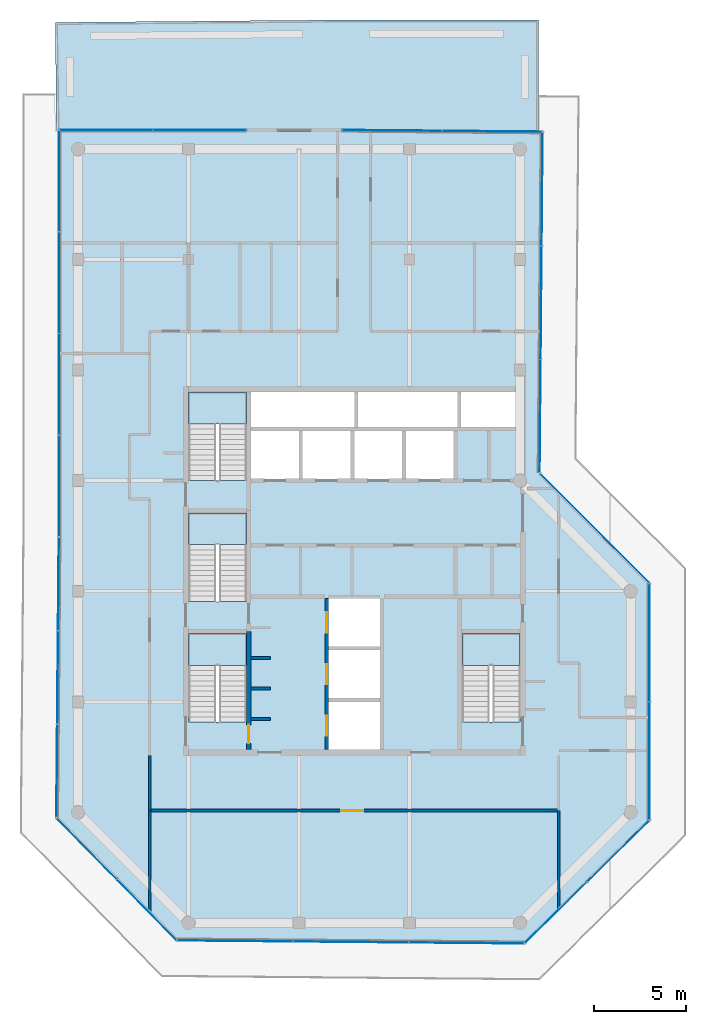
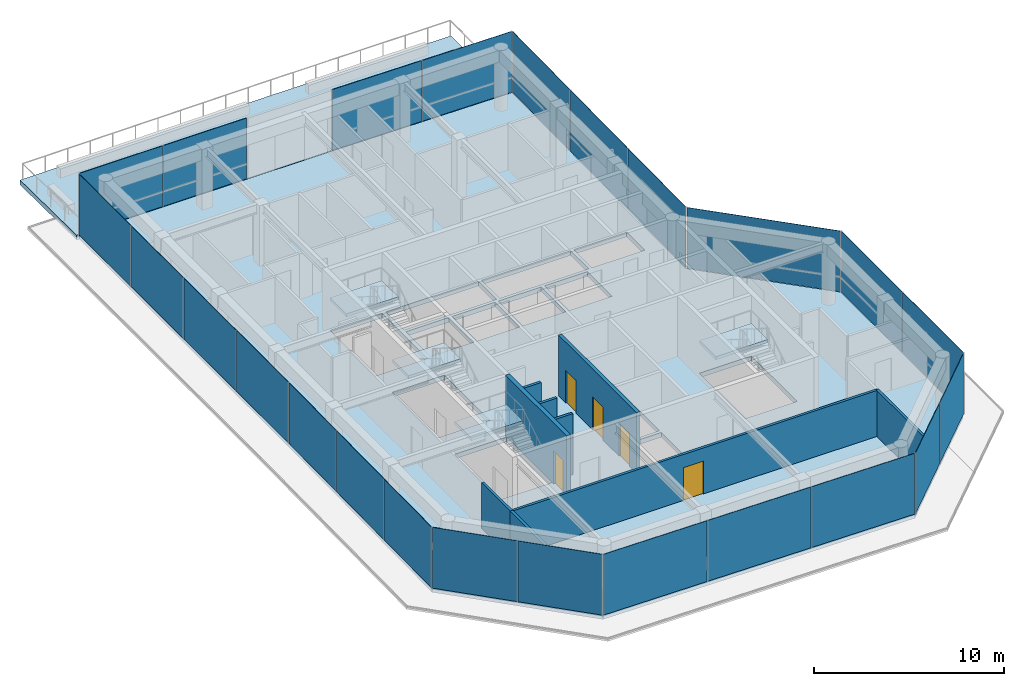
# One storey, part 12 of 17: 24 plates, 9 walls, 6 slabs, 5 doors, 5 openings, 14 elements without a shape of their own.
"""IFC4 building model written with IfcOpenShell, lengths in metres."""

from ifc_helpers import new_model, si_unit, direction, frame, frame_2d, origin, origin_2d, place, context, subcontext, project, spatial, polyline, rectangle, outline, extrude, material, layer, layer_set, type_object, element, fill, aggregate, save


model = new_model("IFC4")

# Units and contexts
model_context = context("Model", 3, precision=1e-05, world=origin(), true_north=direction((0.0, 1.0)))
body_context = subcontext(model_context, "Body", "Model", "MODEL_VIEW")
ifc_project = project(units=[si_unit("LENGTHUNIT", "METRE"), si_unit("AREAUNIT", "SQUARE_METRE"), si_unit("VOLUMEUNIT", "CUBIC_METRE"), si_unit("PLANEANGLEUNIT", "RADIAN"), si_unit("MASSUNIT", "GRAM", prefix="KILO")], contexts=[model_context])

# Site, building, storey
site_placement = place(None, origin())
site = spatial("IfcSite", under=ifc_project, at=site_placement, CompositionType="ELEMENT")
building_placement = place(site_placement, origin())
building = spatial("IfcBuilding", under=site, at=building_placement, Name="Welwitschia Terrace Campus", CompositionType="ELEMENT")
storey_placement = place(building_placement, frame((0.0, 0.0, 335.60009765625)))
storey = spatial("IfcBuildingStorey", under=building, at=storey_placement, Name="L75", CompositionType="ELEMENT", Elevation=335.60009765625)

# Curtain wall, plates
ifc_material_1 = material(Name="Bronze anodised aluminium", Category="aluminium")
ifc_layer_1 = layer(ifc_material_1, 0.10009765625)
ifc_layer_set_1 = layer_set([ifc_layer_1], Name="Bronze anodised aluminium")
curtain_wall_type = type_object("IfcCurtainWallType", Name="Curtain wall CW5 crown 6000", PredefinedType="NOTDEFINED", material=ifc_layer_set_1)
curtain_wall_1_placement = place(storey_placement, origin())
curtain_wall_1 = element("IfcCurtainWall", 1, at=curtain_wall_1_placement, inside=storey, type_object=curtain_wall_type, Name="CW L75.0.1", PredefinedType="NOTDEFINED")
ifc_material_2 = material(Name="Tinted bronze-grey glass", Category="glass")
ifc_layer_2 = layer(ifc_material_2, 0.02392578125)
ifc_layer_set_2 = layer_set([ifc_layer_2], Name="Tinted bronze-grey glass")
plate_type = type_object("IfcPlateType", Name="Glass panel 24 tinted", PredefinedType="CURTAIN_PANEL", material=ifc_layer_set_2)
plate_1_placement = place(storey_placement, frame((6.620849609375, 39.030029296875, 0.0), z_axis=(0.0, 0.0, 1.0), x_axis=(-1.0, 0.0, 0.0)))
plate_1 = element("IfcPlate", 2, at=plate_1_placement, type_object=plate_type, Name="Panel L75.0.1.0", PredefinedType="CURTAIN_PANEL", context=body_context, shape_type="SweptSolid", body=[
    extrude(rectangle(XDim=5.033935546875, YDim=0.02392578125, at=origin_2d()), origin(), (0.0, 0.0, 1.0), 3.89990234375),
])
plate_2_placement = place(storey_placement, frame((1.536865234375, 39.030029296875, 0.0), z_axis=(0.0, 0.0, 1.0), x_axis=(-1.0, 0.0, 0.0)))
plate_2 = element("IfcPlate", 3, at=plate_2_placement, type_object=plate_type, Name="Panel L75.0.1.1", PredefinedType="CURTAIN_PANEL", context=body_context, shape_type="SweptSolid", body=[
    extrude(rectangle(XDim=5.033935546875, YDim=0.02392578125, at=origin_2d()), origin(), (0.0, 0.0, 1.0), 3.89990234375),
])
aggregate(curtain_wall_1, [plate_1, plate_2])

curtain_wall_2_placement = place(storey_placement, origin())
curtain_wall_2 = element("IfcCurtainWall", 4, at=curtain_wall_2_placement, inside=storey, type_object=curtain_wall_type, Name="CW L75.1.0", PredefinedType="NOTDEFINED")
plate_3_placement = place(storey_placement, frame((-1.030029296875, 36.256591796875, 0.0), z_axis=(0.0, 0.0, 1.0), x_axis=(0.0, -1.0, 0.0)))
plate_3 = element("IfcPlate", 5, at=plate_3_placement, type_object=plate_type, Name="Panel L75.1.0.0", PredefinedType="CURTAIN_PANEL", context=body_context, shape_type="SweptSolid", body=[
    extrude(rectangle(XDim=5.44677734375, YDim=0.02392578125, at=origin_2d()), origin(), (0.0, 0.0, 1.0), 3.89990234375),
])
plate_4_placement = place(storey_placement, frame((-1.030029296875, 30.747314453125, 0.0), z_axis=(0.0, 0.0, 1.0), x_axis=(0.0, -1.0, 0.0)))
plate_4 = element("IfcPlate", 6, at=plate_4_placement, type_object=plate_type, Name="Panel L75.1.0.1", PredefinedType="CURTAIN_PANEL", context=body_context, shape_type="SweptSolid", body=[
    extrude(rectangle(XDim=5.4716796875, YDim=0.02392578125, at=origin_2d()), origin(), (0.0, 0.0, 1.0), 3.89990234375),
])
plate_5_placement = place(storey_placement, frame((-1.030029296875, 25.225830078125, 0.0), z_axis=(0.0, 0.0, 1.0), x_axis=(0.0, -1.0, 0.0)))
plate_5 = element("IfcPlate", 7, at=plate_5_placement, type_object=plate_type, Name="Panel L75.1.0.2", PredefinedType="CURTAIN_PANEL", context=body_context, shape_type="SweptSolid", body=[
    extrude(rectangle(XDim=5.4716796875, YDim=0.02392578125, at=origin_2d()), origin(), (0.0, 0.0, 1.0), 3.89990234375),
])
plate_6_placement = place(storey_placement, frame((-1.030029296875, 19.716552734375, 0.0), z_axis=(0.0, 0.0, 1.0), x_axis=(0.0, -1.0, 0.0)))
plate_6 = element("IfcPlate", 8, at=plate_6_placement, type_object=plate_type, Name="Panel L75.1.0.3", PredefinedType="CURTAIN_PANEL", context=body_context, shape_type="SweptSolid", body=[
    extrude(rectangle(XDim=5.44677734375, YDim=0.02392578125, at=origin_2d()), origin(), (0.0, 0.0, 1.0), 3.89990234375),
])
aggregate(curtain_wall_2, [plate_3, plate_4, plate_5, plate_6])

curtain_wall_3_placement = place(storey_placement, origin())
curtain_wall_3 = element("IfcCurtainWall", 9, at=curtain_wall_3_placement, inside=storey, type_object=curtain_wall_type, Name="CW L75.2.0", PredefinedType="NOTDEFINED")
plate_7_placement = place(storey_placement, frame((-1.05224609375, 14.391357421875, 0.0), z_axis=(0.0, 0.0, 1.0), x_axis=(-0.008726535498, -0.999961923064, 0.0)))
plate_7 = element("IfcPlate", 10, at=plate_7_placement, type_object=plate_type, Name="Panel L75.2.0.0", PredefinedType="CURTAIN_PANEL", context=body_context, shape_type="SweptSolid", body=[
    extrude(rectangle(XDim=5.00390625, YDim=0.02392578125, at=origin_2d()), origin(), (0.0, 0.0, 1.0), 3.89990234375),
])
plate_8_placement = place(storey_placement, frame((-1.096435546875, 9.324951171875, 0.0), z_axis=(0.0, 0.0, 1.0), x_axis=(-0.008726535498, -0.999961923064, 0.0)))
plate_8 = element("IfcPlate", 11, at=plate_8_placement, type_object=plate_type, Name="Panel L75.2.0.1", PredefinedType="CURTAIN_PANEL", context=body_context, shape_type="SweptSolid", body=[
    extrude(rectangle(XDim=5.029052734375, YDim=0.02392578125, at=origin_2d()), origin(), (0.0, 0.0, 1.0), 3.89990234375),
])
plate_9_placement = place(storey_placement, frame((-1.140625, 4.2587890625, 0.0), z_axis=(0.0, 0.0, 1.0), x_axis=(-0.008726535498, -0.999961923064, 0.0)))
plate_9 = element("IfcPlate", 12, at=plate_9_placement, type_object=plate_type, Name="Panel L75.2.0.2", PredefinedType="CURTAIN_PANEL", context=body_context, shape_type="SweptSolid", body=[
    extrude(rectangle(XDim=5.00390625, YDim=0.02392578125, at=origin_2d()), origin(), (0.0, 0.0, 1.0), 3.89990234375),
])
aggregate(curtain_wall_3, [plate_7, plate_8, plate_9])

curtain_wall_4_placement = place(storey_placement, origin())
curtain_wall_4 = element("IfcCurtainWall", 13, at=curtain_wall_4_placement, inside=storey, type_object=curtain_wall_type, Name="CW L75.3.0", PredefinedType="NOTDEFINED")
plate_10_placement = place(storey_placement, frame((0.482177734375, 0.03271484375, 0.0), z_axis=(0.0, 0.0, 1.0), x_axis=(0.7009092643, -0.713250449154, 0.0)))
plate_10 = element("IfcPlate", 14, at=plate_10_placement, type_object=plate_type, Name="Panel L75.3.0.0", PredefinedType="CURTAIN_PANEL", context=body_context, shape_type="SweptSolid", body=[
    extrude(rectangle(XDim=4.59423828125, YDim=0.02392578125, at=origin_2d()), origin(), (0.0, 0.0, 1.0), 3.89990234375),
])
plate_11_placement = place(storey_placement, frame((3.7373046875, -3.27978515625, 0.0), z_axis=(0.0, 0.0, 1.0), x_axis=(0.7009092643, -0.713250449154, 0.0)))
plate_11 = element("IfcPlate", 15, at=plate_11_placement, type_object=plate_type, Name="Panel L75.3.0.1", PredefinedType="CURTAIN_PANEL", context=body_context, shape_type="SweptSolid", body=[
    extrude(rectangle(XDim=4.59423828125, YDim=0.02392578125, at=origin_2d()), origin(), (0.0, 0.0, 1.0), 3.89990234375),
])
aggregate(curtain_wall_4, [plate_10, plate_11])

curtain_wall_5_placement = place(storey_placement, origin())
curtain_wall_5 = element("IfcCurtainWall", 16, at=curtain_wall_5_placement, inside=storey, type_object=curtain_wall_type, Name="CW L75.4.0", PredefinedType="NOTDEFINED")
plate_12_placement = place(storey_placement, frame((8.537109375, -4.9814453125, 0.0), z_axis=(0.0, 0.0, 1.0), x_axis=(0.999961923064, -0.008726535498, 0.0)))
plate_12 = element("IfcPlate", 17, at=plate_12_placement, type_object=plate_type, Name="Panel L75.4.0.0", PredefinedType="CURTAIN_PANEL", context=body_context, shape_type="SweptSolid", body=[
    extrude(rectangle(XDim=6.20947265625, YDim=0.02392578125, at=origin_2d()), origin(), (0.0, 0.0, 1.0), 3.89990234375),
])
plate_13_placement = place(storey_placement, frame((14.808837890625, -5.0361328125, 0.0), z_axis=(0.0, 0.0, 1.0), x_axis=(0.999961923064, -0.008726535498, 0.0)))
plate_13 = element("IfcPlate", 18, at=plate_13_placement, type_object=plate_type, Name="Panel L75.4.0.1", PredefinedType="CURTAIN_PANEL", context=body_context, shape_type="SweptSolid", body=[
    extrude(rectangle(XDim=6.234375, YDim=0.02392578125, at=origin_2d()), origin(), (0.0, 0.0, 1.0), 3.89990234375),
])
plate_14_placement = place(storey_placement, frame((21.08056640625, -5.0908203125, 0.0), z_axis=(0.0, 0.0, 1.0), x_axis=(0.999961923064, -0.008726535498, 0.0)))
plate_14 = element("IfcPlate", 19, at=plate_14_placement, type_object=plate_type, Name="Panel L75.4.0.2", PredefinedType="CURTAIN_PANEL", context=body_context, shape_type="SweptSolid", body=[
    extrude(rectangle(XDim=6.20947265625, YDim=0.02392578125, at=origin_2d()), origin(), (0.0, 0.0, 1.0), 3.89990234375),
])
aggregate(curtain_wall_5, [plate_12, plate_13, plate_14])

curtain_wall_6_placement = place(storey_placement, origin())
curtain_wall_6 = element("IfcCurtainWall", 20, at=curtain_wall_6_placement, inside=storey, type_object=curtain_wall_type, Name="CW L75.5.0", PredefinedType="NOTDEFINED")
plate_15_placement = place(storey_placement, frame((25.942626953125, -3.436767578125, 0.0), z_axis=(0.0, 0.0, 1.0), x_axis=(0.712500226028, 0.701671880518, 0.0)))
plate_15 = element("IfcPlate", 21, at=plate_15_placement, type_object=plate_type, Name="Panel L75.5.0.0", PredefinedType="CURTAIN_PANEL", context=body_context, shape_type="SweptSolid", body=[
    extrude(rectangle(XDim=4.693359375, YDim=0.02392578125, at=origin_2d()), origin(), (0.0, 0.0, 1.0), 3.89990234375),
])
plate_16_placement = place(storey_placement, frame((29.322265625, -0.1083984375, 0.0), z_axis=(0.0, 0.0, 1.0), x_axis=(0.712500226028, 0.701671880518, 0.0)))
plate_16 = element("IfcPlate", 22, at=plate_16_placement, type_object=plate_type, Name="Panel L75.5.0.1", PredefinedType="CURTAIN_PANEL", context=body_context, shape_type="SweptSolid", body=[
    extrude(rectangle(XDim=4.693359375, YDim=0.02392578125, at=origin_2d()), origin(), (0.0, 0.0, 1.0), 3.89990234375),
])
aggregate(curtain_wall_6, [plate_15, plate_16])

curtain_wall_7_placement = place(storey_placement, origin())
curtain_wall_7 = element("IfcCurtainWall", 23, at=curtain_wall_7_placement, inside=storey, type_object=curtain_wall_type, Name="CW L75.6.0", PredefinedType="NOTDEFINED")
plate_17_placement = place(storey_placement, frame((31.030029296875, 4.799072265625, 0.0), z_axis=(0.0, 0.0, 1.0), x_axis=(0.0, 1.0, 0.0)))
plate_17 = element("IfcPlate", 24, at=plate_17_placement, type_object=plate_type, Name="Panel L75.6.0.0", PredefinedType="CURTAIN_PANEL", context=body_context, shape_type="SweptSolid", body=[
    extrude(rectangle(XDim=6.351806640625, YDim=0.02392578125, at=origin_2d()), origin(), (0.0, 0.0, 1.0), 3.89990234375),
])
plate_18_placement = place(storey_placement, frame((31.030029296875, 11.20068359375, 0.0), z_axis=(0.0, 0.0, 1.0), x_axis=(0.0, 1.0, 0.0)))
plate_18 = element("IfcPlate", 25, at=plate_18_placement, type_object=plate_type, Name="Panel L75.6.0.1", PredefinedType="CURTAIN_PANEL", context=body_context, shape_type="SweptSolid", body=[
    extrude(rectangle(XDim=6.351806640625, YDim=0.02392578125, at=origin_2d()), origin(), (0.0, 0.0, 1.0), 3.89990234375),
])
aggregate(curtain_wall_7, [plate_17, plate_18])

# Curtain wall, plate
curtain_wall_8_placement = place(storey_placement, origin())
curtain_wall_8 = element("IfcCurtainWall", 26, at=curtain_wall_8_placement, inside=storey, type_object=curtain_wall_type, Name="CW L75.7.0", PredefinedType="NOTDEFINED")
plate_19_placement = place(storey_placement, frame((28.045654296875, 17.4111328125, 0.0), z_axis=(0.0, 0.0, 1.0), x_axis=(-0.707106781187, 0.707106781187, 0.0)))
plate_19 = element("IfcPlate", 27, at=plate_19_placement, type_object=plate_type, Name="Panel L75.7.0.0", PredefinedType="CURTAIN_PANEL", context=body_context, shape_type="SweptSolid", body=[
    extrude(rectangle(XDim=8.34130859375, YDim=0.02392578125, at=origin_2d()), origin(), (0.0, 0.0, 1.0), 3.89990234375),
])
aggregate(curtain_wall_8, [plate_19])

# Curtain wall, plates
curtain_wall_9_placement = place(storey_placement, origin())
curtain_wall_9 = element("IfcCurtainWall", 28, at=curtain_wall_9_placement, inside=storey, type_object=curtain_wall_type, Name="CW L75.8.0", PredefinedType="NOTDEFINED")
plate_20_placement = place(storey_placement, frame((25.088134765625, 23.497802734375, 0.0), z_axis=(0.0, 0.0, 1.0), x_axis=(0.008726535498, 0.999961923064, 0.0)))
plate_20 = element("IfcPlate", 29, at=plate_20_placement, type_object=plate_type, Name="Panel L75.8.0.0", PredefinedType="CURTAIN_PANEL", context=body_context, shape_type="SweptSolid", body=[
    extrude(rectangle(XDim=6.10498046875, YDim=0.02392578125, at=origin_2d()), origin(), (0.0, 0.0, 1.0), 3.89990234375),
])
plate_21_placement = place(storey_placement, frame((25.14208984375, 29.6650390625, 0.0), z_axis=(0.0, 0.0, 1.0), x_axis=(0.008726535498, 0.999961923064, 0.0)))
plate_21 = element("IfcPlate", 30, at=plate_21_placement, type_object=plate_type, Name="Panel L75.8.0.1", PredefinedType="CURTAIN_PANEL", context=body_context, shape_type="SweptSolid", body=[
    extrude(rectangle(XDim=6.1298828125, YDim=0.02392578125, at=origin_2d()), origin(), (0.0, 0.0, 1.0), 3.89990234375),
])
plate_22_placement = place(storey_placement, frame((25.19580078125, 35.832275390625, 0.0), z_axis=(0.0, 0.0, 1.0), x_axis=(0.008726535498, 0.999961923064, 0.0)))
plate_22 = element("IfcPlate", 31, at=plate_22_placement, type_object=plate_type, Name="Panel L75.8.0.2", PredefinedType="CURTAIN_PANEL", context=body_context, shape_type="SweptSolid", body=[
    extrude(rectangle(XDim=6.10498046875, YDim=0.02392578125, at=origin_2d()), origin(), (0.0, 0.0, 1.0), 3.89990234375),
])
aggregate(curtain_wall_9, [plate_20, plate_21, plate_22])

curtain_wall_10_placement = place(storey_placement, origin())
curtain_wall_10 = element("IfcCurtainWall", 32, at=curtain_wall_10_placement, inside=storey, type_object=curtain_wall_type, Name="CW L75.9.0", PredefinedType="NOTDEFINED")
plate_23_placement = place(storey_placement, frame((22.478759765625, 38.95849609375, 0.0), z_axis=(0.0, 0.0, 1.0), x_axis=(-0.999961923064, 0.008726535498, 0.0)))
plate_23 = element("IfcPlate", 33, at=plate_23_placement, type_object=plate_type, Name="Panel L75.9.0.0", PredefinedType="CURTAIN_PANEL", context=body_context, shape_type="SweptSolid", body=[
    extrude(rectangle(XDim=5.38818359375, YDim=0.02392578125, at=origin_2d()), origin(), (0.0, 0.0, 1.0), 3.89990234375),
])
plate_24_placement = place(storey_placement, frame((17.040771484375, 39.006103515625, 0.0), z_axis=(0.0, 0.0, 1.0), x_axis=(-0.999961923064, 0.008726535498, 0.0)))
plate_24 = element("IfcPlate", 34, at=plate_24_placement, type_object=plate_type, Name="Panel L75.9.0.1", PredefinedType="CURTAIN_PANEL", context=body_context, shape_type="SweptSolid", body=[
    extrude(rectangle(XDim=5.38818359375, YDim=0.02392578125, at=origin_2d()), origin(), (0.0, 0.0, 1.0), 3.89990234375),
])
aggregate(curtain_wall_10, [plate_23, plate_24])

# Stair, slab
ifc_material_3 = material(Name="Concrete C40/50", Category="concrete")
stair_type = type_object("IfcStairType", Name="Stair 24R 175 W1500", PredefinedType="HALF_TURN_STAIR", material=ifc_material_3)
stair_1_placement = place(storey_placement, origin())
stair_1 = element("IfcStair", 35, at=stair_1_placement, inside=storey, type_object=stair_type, Name="L75 Exit stair S1", PredefinedType="HALF_TURN_STAIR")
ifc_material_4 = material(Name="Concrete C40/50", Category="concrete")
ifc_layer_3 = layer(ifc_material_4, 0.199951171875)
ifc_layer_set_3 = layer_set([ifc_layer_3], Name="Concrete C40/50")
slab_type_1 = type_object("IfcSlabType", Name="Stair landing RC", PredefinedType="LANDING", material=ifc_layer_set_3)
slab_1_placement = place(storey_placement, frame((0.0, 0.0, 1.89990234375)))
slab_1 = element("IfcSlab", 36, at=slab_1_placement, type_object=slab_type_1, Name="S1 landing 1", PredefinedType="LANDING", context=body_context, shape_type="SweptSolid", body=[
    extrude(outline(polyline([(9.14990234375, 9.97998046875), (9.14990234375, 11.699951171875), (6.0, 11.699951171875), (6.0, 9.97998046875), (9.14990234375, 9.97998046875)])), origin(), (0.0, 0.0, 1.0), 0.199951171875),
])
aggregate(stair_1, [slab_1])

stair_2_placement = place(storey_placement, origin())
stair_2 = element("IfcStair", 37, at=stair_2_placement, inside=storey, type_object=stair_type, Name="L75 Exit stair S3", PredefinedType="HALF_TURN_STAIR")
slab_2_placement = place(storey_placement, frame((0.0, 0.0, 1.89990234375)))
slab_2 = element("IfcSlab", 38, at=slab_2_placement, type_object=slab_type_1, Name="S3 landing 1", PredefinedType="LANDING", context=body_context, shape_type="SweptSolid", body=[
    extrude(outline(polyline([(9.14990234375, 16.530029296875), (9.14990234375, 18.25), (6.0, 18.25), (6.0, 16.530029296875), (9.14990234375, 16.530029296875)])), origin(), (0.0, 0.0, 1.0), 0.199951171875),
])
aggregate(stair_2, [slab_2])

stair_3_placement = place(storey_placement, origin())
stair_3 = element("IfcStair", 39, at=stair_3_placement, inside=storey, type_object=stair_type, Name="L75 Exit stair S4", PredefinedType="HALF_TURN_STAIR")
slab_3_placement = place(storey_placement, frame((0.0, 0.0, 1.89990234375)))
slab_3 = element("IfcSlab", 40, at=slab_3_placement, type_object=slab_type_1, Name="S4 landing 1", PredefinedType="LANDING", context=body_context, shape_type="SweptSolid", body=[
    extrude(outline(polyline([(9.14990234375, 23.080078125), (9.14990234375, 24.800048828125), (6.0, 24.800048828125), (6.0, 23.080078125), (9.14990234375, 23.080078125)])), origin(), (0.0, 0.0, 1.0), 0.199951171875),
])
aggregate(stair_3, [slab_3])

stair_4_placement = place(storey_placement, origin())
stair_4 = element("IfcStair", 41, at=stair_4_placement, inside=storey, type_object=stair_type, Name="L75 Exit stair S2", PredefinedType="HALF_TURN_STAIR")
slab_4_placement = place(storey_placement, frame((0.0, 0.0, 1.89990234375)))
slab_4 = element("IfcSlab", 42, at=slab_4_placement, type_object=slab_type_1, Name="S2 landing 1", PredefinedType="LANDING", context=body_context, shape_type="SweptSolid", body=[
    extrude(outline(polyline([(24.0, 9.97998046875), (24.0, 11.699951171875), (20.85009765625, 11.699951171875), (20.85009765625, 9.97998046875), (24.0, 9.97998046875)])), origin(), (0.0, 0.0, 1.0), 0.199951171875),
])
aggregate(stair_4, [slab_4])

# Slabs
ifc_material_5 = material(Name="Concrete C40/50", Category="concrete")
ifc_layer_4 = layer(ifc_material_5, 0.300048828125)
ifc_layer_set_4 = layer_set([ifc_layer_4], Name="Concrete C40/50")
slab_type_2 = type_object("IfcSlabType", Name="Suspended floor slab 300", PredefinedType="FLOOR", material=ifc_layer_set_4)
slab_5_placement = place(storey_placement, frame((0.0, 0.0, -0.300048828125)))
element("IfcSlab", 43, at=slab_5_placement, inside=storey, type_object=slab_type_2, Name="Floor slab L75", PredefinedType="FLOOR", context=body_context, shape_type="SweptSolid", body=[
    extrude(outline(polyline([(25.031005859375, 20.38330078125), (31.0, 14.414306640625), (31.0, 1.585693359375), (24.222900390625, -5.08837890625), (5.395263671875, -4.924072265625), (-1.1328125, 1.718994140625), (-1.0, 16.943115234375), (-1.0, 38.985107421875), (14.296630859375, 38.985107421875), (25.001953125, 38.8916015625), (25.001953125, 38.906494140625), (25.192626953125, 38.905029296875), (25.031005859375, 20.38330078125)]), holes=[polyline([(13.60009765625, 5.39990234375), (16.39990234375, 5.39990234375), (16.39990234375, 8.0), (13.60009765625, 8.0), (13.60009765625, 5.39990234375)]), polyline([(6.0, 11.699951171875), (6.0, 6.902099609375), (9.14990234375, 6.902099609375), (9.14990234375, 11.699951171875), (6.0, 11.699951171875)]), polyline([(6.0, 18.25), (6.0, 13.451904296875), (9.14990234375, 13.451904296875), (9.14990234375, 18.25), (6.0, 18.25)]), polyline([(9.39990234375, 22.699951171875), (9.39990234375, 20.10009765625), (12.0, 20.10009765625), (12.0, 22.699951171875), (9.39990234375, 22.699951171875)]), polyline([(12.199951171875, 22.699951171875), (12.199951171875, 20.10009765625), (14.800048828125, 20.10009765625), (14.800048828125, 22.699951171875), (12.199951171875, 22.699951171875)]), polyline([(6.0, 24.800048828125), (6.0, 20.001953125), (9.14990234375, 20.001953125), (9.14990234375, 24.800048828125), (6.0, 24.800048828125)]), polyline([(9.39990234375, 24.800048828125), (9.39990234375, 22.89990234375), (15.0, 22.89990234375), (15.0, 24.800048828125), (9.39990234375, 24.800048828125)]), polyline([(20.85009765625, 6.902099609375), (24.0, 6.902099609375), (24.0, 11.699951171875), (20.85009765625, 11.699951171875), (20.85009765625, 6.902099609375)]), polyline([(13.60009765625, 10.800048828125), (13.60009765625, 8.199951171875), (16.39990234375, 8.199951171875), (16.39990234375, 10.800048828125), (13.60009765625, 10.800048828125)]), polyline([(13.60009765625, 13.60009765625), (13.60009765625, 11.0), (16.39990234375, 11.0), (16.39990234375, 13.60009765625), (13.60009765625, 13.60009765625)]), polyline([(15.0, 22.699951171875), (15.0, 20.10009765625), (17.60009765625, 20.10009765625), (17.60009765625, 22.699951171875), (15.0, 22.699951171875)]), polyline([(17.800048828125, 22.699951171875), (17.800048828125, 20.10009765625), (20.39990234375, 20.10009765625), (20.39990234375, 22.699951171875), (17.800048828125, 22.699951171875)]), polyline([(15.199951171875, 24.800048828125), (15.199951171875, 22.89990234375), (20.60009765625, 22.89990234375), (20.60009765625, 24.800048828125), (15.199951171875, 24.800048828125)]), polyline([(20.800048828125, 24.800048828125), (20.800048828125, 22.89990234375), (24.0, 22.89990234375), (24.0, 24.800048828125), (20.800048828125, 24.800048828125)])]), origin(), (0.0, 0.0, 1.0), 0.300048828125),
])
ifc_material_6 = material(Name="Concrete C40/50", Category="concrete")
ifc_layer_5 = layer(ifc_material_6, 0.300048828125)
ifc_layer_set_5 = layer_set([ifc_layer_5], Name="Concrete C40/50")
slab_type_3 = type_object("IfcSlabType", Name="Terrace slab 300", PredefinedType="FLOOR", material=ifc_layer_set_5)
slab_6_placement = place(storey_placement, frame((0.0, 0.0, -0.300048828125)))
element("IfcSlab", 44, at=slab_6_placement, inside=storey, type_object=slab_type_3, Name="Terrace slab", PredefinedType="FLOOR", context=body_context, shape_type="SweptSolid", body=[
    extrude(outline(polyline([(-1.168701171875, 39.0), (-1.2197265625, 44.8671875), (14.012939453125, 45.0), (25.0, 45.0), (25.0, 38.921630859375), (14.296875, 39.014892578125), (14.296630859375, 39.014892578125), (-1.0, 39.014892578125), (-1.00146484375, 39.014892578125), (-1.0029296875, 39.0146484375), (-1.00439453125, 39.014404296875), (-1.005859375, 39.013916015625), (-1.007080078125, 39.01318359375), (-1.00830078125, 39.012451171875), (-1.009521484375, 39.011474609375), (-1.010498046875, 39.010498046875), (-1.011474609375, 39.009521484375), (-1.012451171875, 39.00830078125), (-1.01318359375, 39.007080078125), (-1.013916015625, 39.005859375), (-1.014404296875, 39.00439453125), (-1.0146484375, 39.0029296875), (-1.014892578125, 39.00146484375), (-1.014892578125, 39.0), (-1.168701171875, 39.0)])), origin(), (0.0, 0.0, 1.0), 0.300048828125),
])

# Walls
ifc_material_7 = material(Name="Concrete C50/60", Category="concrete")
ifc_layer_6 = layer(ifc_material_7, 0.14990234375)
ifc_layer_set_6 = layer_set([ifc_layer_6], Name="Concrete C50/60")
wall_type_1 = type_object("IfcWallType", Name="Core wall 150 Concrete C50/60", PredefinedType="SHEAR", material=ifc_layer_set_6)
for number, where, z_axis, x_axis, name in (
    (45, (9.39990234375, 7.074951171875, 0.0), (0.0, 0.0, 1.0), (1.0, 0.0, 0.0), "Core wall"),
    (46, (9.39990234375, 8.72509765625, 0.0), (0.0, 0.0, 1.0), (1.0, 0.0, 0.0), "Core wall"),
    (47, (9.39990234375, 10.375, 0.0), (0.0, 0.0, 1.0), (1.0, 0.0, 0.0), "Core wall"),
):
    element("IfcWall", number, at=place(storey_placement, frame(where, z_axis=z_axis, x_axis=x_axis)), inside=storey, type_object=wall_type_1, Name=name, PredefinedType="SHEAR", context=body_context, shape_type="SweptSolid", body=[
        extrude(rectangle(XDim=1.050048828125, YDim=0.14990234375, at=frame_2d((0.52490234375, 0.0))), origin(), (0.0, 0.0, 1.0), 3.89990234375),
    ])

# Wall, openings, doors
ifc_material_8 = material(Name="Concrete C50/60", Category="concrete")
ifc_layer_7 = layer(ifc_material_8, 0.199951171875)
ifc_layer_set_7 = layer_set([ifc_layer_7], Name="Concrete C50/60")
wall_type_2 = type_object("IfcWallType", Name="Core wall 200 Concrete C50/60", PredefinedType="SHEAR", material=ifc_layer_set_7)
wall_1_placement = place(storey_placement, frame((13.5, 5.39990234375, 0.0), z_axis=(0.0, 0.0, 1.0), x_axis=(0.0, 1.0, 0.0)))
wall_1 = element("IfcWall", 48, at=wall_1_placement, inside=storey, type_object=wall_type_2, Name="Core wall", PredefinedType="SHEAR", context=body_context, shape_type="SweptSolid", body=[
    extrude(rectangle(XDim=8.2001953125, YDim=0.199951171875, at=frame_2d((4.10009765625, 0.0))), origin(), (0.0, 0.0, 1.0), 3.89990234375),
])
opening_1_placement = place(wall_1_placement, frame((0.75, 0.0, 0.0)))
opening_1 = element("IfcOpeningElement", 49, at=opening_1_placement, cuts=wall_1, Name="Opening LD", PredefinedType="OPENING", context=body_context, shape_type="SweptSolid", body=[
    extrude(rectangle(XDim=1.10009765625, YDim=2.10009765625, at=frame_2d((0.550048828125, 1.050048828125))), frame((0.0, 0.10986328125, 0.0), z_axis=(0.0, -1.0, 0.0), x_axis=(1.0, 0.0, 0.0)), (0.0, 0.0, 1.0), 0.219970703125),
])
opening_2_placement = place(wall_1_placement, frame((3.550048828125, 0.0, 0.0)))
opening_2 = element("IfcOpeningElement", 50, at=opening_2_placement, cuts=wall_1, Name="Opening LD", PredefinedType="OPENING", context=body_context, shape_type="SweptSolid", body=[
    extrude(rectangle(XDim=1.10009765625, YDim=2.10009765625, at=frame_2d((0.550048828125, 1.050048828125))), frame((0.0, 0.10986328125, 0.0), z_axis=(0.0, -1.0, 0.0), x_axis=(1.0, 0.0, 0.0)), (0.0, 0.0, 1.0), 0.219970703125),
])
opening_3_placement = place(wall_1_placement, frame((6.35009765625, 0.0, 0.0)))
opening_3 = element("IfcOpeningElement", 51, at=opening_3_placement, cuts=wall_1, Name="Opening LD", PredefinedType="OPENING", context=body_context, shape_type="SweptSolid", body=[
    extrude(rectangle(XDim=1.10009765625, YDim=2.10009765625, at=frame_2d((0.550048828125, 1.050048828125))), frame((0.0, 0.10986328125, 0.0), z_axis=(0.0, -1.0, 0.0), x_axis=(1.0, 0.0, 0.0)), (0.0, 0.0, 1.0), 0.219970703125),
])
ifc_material_9 = material(Name="Stainless steel 304", Category="steel")
door_type_1 = type_object("IfcDoorType", Name="Lift landing door", OperationType="DOUBLE_DOOR_SLIDING", PredefinedType="DOOR", material=ifc_material_9)
door_1_placement = place(opening_1_placement, origin())
door_1 = element("IfcDoor", 52, at=door_1_placement, inside=storey, type_object=door_type_1, Name="Landing door FF1", OperationType="DOUBLE_DOOR_SLIDING", OverallHeight=2.10009765625, OverallWidth=1.10009765625, PredefinedType="DOOR", context=body_context, shape_type="SweptSolid", body=[
    extrude(rectangle(XDim=1.10009765625, YDim=2.10009765625, at=frame_2d((0.550048828125, 1.050048828125))), frame((0.0, 0.02490234375, 0.0), z_axis=(0.0, -1.0, 0.0), x_axis=(1.0, 0.0, 0.0)), (0.0, 0.0, 1.0), 0.050048828125),
])
fill(opening_1, door_1)
door_2_placement = place(opening_2_placement, origin())
door_2 = element("IfcDoor", 53, at=door_2_placement, inside=storey, type_object=door_type_1, Name="Landing door FF2", OperationType="DOUBLE_DOOR_SLIDING", OverallHeight=2.10009765625, OverallWidth=1.10009765625, PredefinedType="DOOR", context=body_context, shape_type="SweptSolid", body=[
    extrude(rectangle(XDim=1.10009765625, YDim=2.10009765625, at=frame_2d((0.550048828125, 1.050048828125))), frame((0.0, 0.02490234375, 0.0), z_axis=(0.0, -1.0, 0.0), x_axis=(1.0, 0.0, 0.0)), (0.0, 0.0, 1.0), 0.050048828125),
])
fill(opening_2, door_2)
door_3_placement = place(opening_3_placement, origin())
door_3 = element("IfcDoor", 54, at=door_3_placement, inside=storey, type_object=door_type_1, Name="Landing door SV1", OperationType="DOUBLE_DOOR_SLIDING", OverallHeight=2.10009765625, OverallWidth=1.10009765625, PredefinedType="DOOR", context=body_context, shape_type="SweptSolid", body=[
    extrude(rectangle(XDim=1.10009765625, YDim=2.10009765625, at=frame_2d((0.550048828125, 1.050048828125))), frame((0.0, 0.02490234375, 0.0), z_axis=(0.0, -1.0, 0.0), x_axis=(1.0, 0.0, 0.0)), (0.0, 0.0, 1.0), 0.050048828125),
])
fill(opening_3, door_3)

# Wall, opening, door
ifc_material_10 = material(Name="Concrete C50/60", Category="concrete")
ifc_layer_8 = layer(ifc_material_10, 0.25)
ifc_layer_set_8 = layer_set([ifc_layer_8], Name="Concrete C50/60")
wall_type_3 = type_object("IfcWallType", Name="Core wall 250 Concrete C50/60", PredefinedType="SHEAR", material=ifc_layer_set_8)
wall_2_placement = place(storey_placement, frame((9.27490234375, 11.824951171875, 0.0), z_axis=(0.0, 0.0, 1.0), x_axis=(0.0, -1.0, 0.0)))
wall_2 = element("IfcWall", 55, at=wall_2_placement, inside=storey, type_object=wall_type_3, Name="Core wall", PredefinedType="SHEAR", context=body_context, shape_type="SweptSolid", body=[
    extrude(rectangle(XDim=6.425048828125, YDim=0.25, at=frame_2d((3.21240234375, 0.0))), origin(), (0.0, 0.0, 1.0), 3.89990234375),
])
opening_4_placement = place(wall_2_placement, frame((5.074951171875, 0.0, 0.0)))
opening_4 = element("IfcOpeningElement", 56, at=opening_4_placement, cuts=wall_2, Name="Opening DS10", PredefinedType="OPENING", context=body_context, shape_type="SweptSolid", body=[
    extrude(rectangle(XDim=1.0, YDim=2.10009765625, at=frame_2d((0.5, 1.050048828125))), frame((0.0, 0.135009765625, 0.0), z_axis=(0.0, -1.0, 0.0), x_axis=(1.0, 0.0, 0.0)), (0.0, 0.0, 1.0), 0.27001953125),
])
ifc_material_11 = material(Name="Steel S275", Category="steel")
door_type_2 = type_object("IfcDoorType", Name="Core door DS10", OperationType="SINGLE_SWING_LEFT", PredefinedType="DOOR", material=ifc_material_11)
door_4_placement = place(opening_4_placement, origin())
door_4 = element("IfcDoor", 57, at=door_4_placement, inside=storey, type_object=door_type_2, Name="Door S1-FL", OperationType="SINGLE_SWING_RIGHT", OverallHeight=2.10009765625, OverallWidth=1.0, PredefinedType="DOOR", context=body_context, shape_type="SweptSolid", body=[
    extrude(rectangle(XDim=1.0, YDim=2.10009765625, at=frame_2d((0.5, 1.050048828125))), frame((0.0, 0.02490234375, 0.0), z_axis=(0.0, -1.0, 0.0), x_axis=(1.0, 0.0, 0.0)), (0.0, 0.0, 1.0), 0.050048828125),
])
fill(opening_4, door_4)

# Walls
ifc_material_12 = material(Name="Gypsum board on steel studs", Category="steel")
ifc_layer_9 = layer(ifc_material_12, 0.14990234375)
ifc_layer_set_9 = layer_set([ifc_layer_9], Name="Gypsum board on steel studs")
wall_type_4 = type_object("IfcWallType", Name="Corridor partition 150 EI 30", PredefinedType="PARTITIONING", material=ifc_layer_set_9)
wall_3_placement = place(storey_placement, frame((3.89990234375, -3.3701171875, 0.0), z_axis=(0.0, 0.0, 1.0), x_axis=(0.0, 1.0, 0.0)))
element("IfcWall", 58, at=wall_3_placement, inside=storey, type_object=wall_type_4, Name="Partition", PredefinedType="PARTITIONING", context=body_context, shape_type="SweptSolid", body=[
    extrude(rectangle(XDim=5.47021484375, YDim=0.14990234375, at=frame_2d((2.735107421875, 0.0))), origin(), (0.0, 0.0, 1.0), 2.949951171875),
])
wall_4_placement = place(storey_placement, frame((3.89990234375, 2.10009765625, 0.0), z_axis=(0.0, 0.0, 1.0), x_axis=(0.0, 1.0, 0.0)))
element("IfcWall", 59, at=wall_4_placement, inside=storey, type_object=wall_type_4, Name="Partition", PredefinedType="PARTITIONING", context=body_context, shape_type="SweptSolid", body=[
    extrude(rectangle(XDim=3.0, YDim=0.14990234375, at=frame_2d((1.5, 0.0))), origin(), (0.0, 0.0, 1.0), 2.949951171875),
])
wall_5_placement = place(storey_placement, frame((26.10009765625, -3.2099609375, 0.0), z_axis=(0.0, 0.0, 1.0), x_axis=(0.0, 1.0, 0.0)))
element("IfcWall", 60, at=wall_5_placement, inside=storey, type_object=wall_type_4, Name="Partition", PredefinedType="PARTITIONING", context=body_context, shape_type="SweptSolid", body=[
    extrude(rectangle(XDim=5.31005859375, YDim=0.14990234375, at=frame_2d((2.655029296875, 0.0))), origin(), (0.0, 0.0, 1.0), 2.949951171875),
])

# Wall, opening, door
wall_6_placement = place(storey_placement, frame((26.10009765625, 2.10009765625, 0.0), z_axis=(0.0, 0.0, 1.0), x_axis=(-1.0, 0.0, 0.0)))
wall_6 = element("IfcWall", 61, at=wall_6_placement, inside=storey, type_object=wall_type_4, Name="Partition", PredefinedType="PARTITIONING", context=body_context, shape_type="SweptSolid", body=[
    extrude(rectangle(XDim=22.2001953125, YDim=0.14990234375, at=frame_2d((11.10009765625, 0.0))), origin(), (0.0, 0.0, 1.0), 2.949951171875),
])
opening_5_placement = place(wall_6_placement, frame((10.60009765625, 0.0, 0.0)))
opening_5 = element("IfcOpeningElement", 62, at=opening_5_placement, cuts=wall_6, Name="Opening DI12", PredefinedType="OPENING", context=body_context, shape_type="SweptSolid", body=[
    extrude(rectangle(XDim=1.199951171875, YDim=2.10009765625, at=frame_2d((0.60009765625, 1.050048828125))), frame((0.0, 0.0849609375, 0.0), z_axis=(0.0, -1.0, 0.0), x_axis=(1.0, 0.0, 0.0)), (0.0, 0.0, 1.0), 0.169921875),
])
ifc_material_13 = material(Name="Timber veneered door", Category="wood")
door_type_3 = type_object("IfcDoorType", Name="Interior door DI12", OperationType="NOTDEFINED", PredefinedType="DOOR", material=ifc_material_13)
door_5_placement = place(opening_5_placement, origin())
door_5 = element("IfcDoor", 63, at=door_5_placement, inside=storey, type_object=door_type_3, Name="Door L75 1297", OperationType="SINGLE_SWING_RIGHT", OverallHeight=2.10009765625, OverallWidth=1.199951171875, PredefinedType="DOOR", context=body_context, shape_type="SweptSolid", body=[
    extrude(rectangle(XDim=1.199951171875, YDim=2.10009765625, at=frame_2d((0.60009765625, 1.050048828125))), frame((0.0, 0.02490234375, 0.0), z_axis=(0.0, -1.0, 0.0), x_axis=(1.0, 0.0, 0.0)), (0.0, 0.0, 1.0), 0.050048828125),
])
fill(opening_5, door_5)

save(model, "model.ifc")
